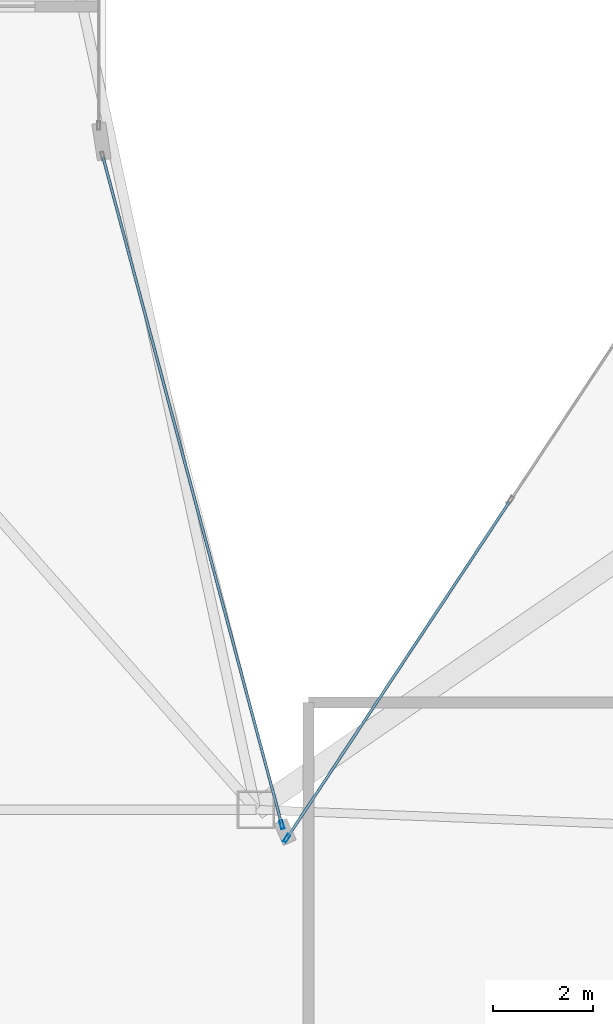
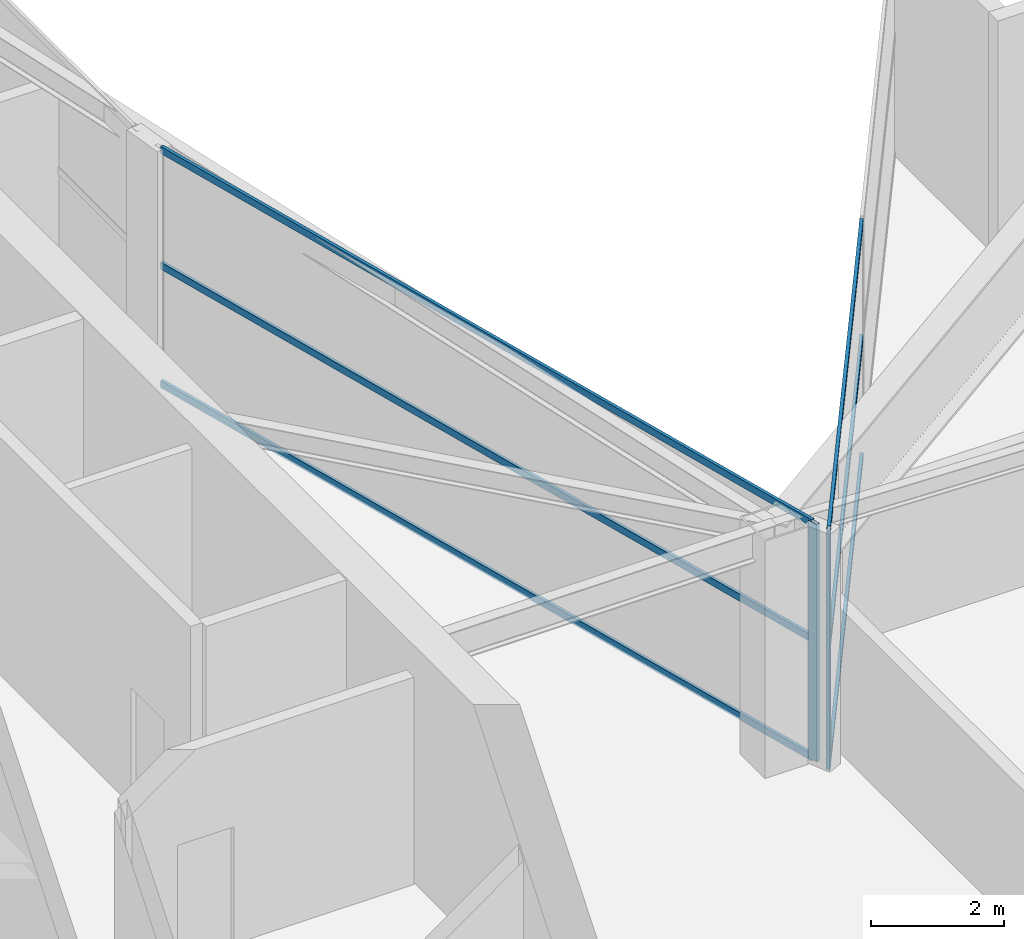
# One storey, part 2 of 15: 8 members, 2 elements without a shape of their own.
"""IFC4 building model written with IfcOpenShell, lengths in metres."""

from ifc_helpers import new_model, si_unit, direction, frame, origin, origin_2d, place, context, subcontext, project, spatial, hollow_rectangle, extrude, material, layer, layer_set, material_profile, profile_set, type_object, element, aggregate, save


model = new_model("IFC4")

# Units and contexts
model_context = context("Model", 3, precision=1e-05, world=origin(), true_north=direction((0.0, 1.0)))
body_context = subcontext(model_context, "Body", "Model", "MODEL_VIEW")
ifc_project = project(units=[si_unit("LENGTHUNIT", "METRE"), si_unit("AREAUNIT", "SQUARE_METRE"), si_unit("VOLUMEUNIT", "CUBIC_METRE"), si_unit("PLANEANGLEUNIT", "RADIAN"), si_unit("MASSUNIT", "GRAM", prefix="KILO")], contexts=[model_context])

# Site, building, storey
site_placement = place(None, origin())
site = spatial("IfcSite", under=ifc_project, at=site_placement, CompositionType="ELEMENT")
building_placement = place(site_placement, origin())
building = spatial("IfcBuilding", under=site, at=building_placement, Name="Calvorn Quay Hotel", CompositionType="ELEMENT")
storey_placement = place(building_placement, frame((0.0, 0.0, 282.5)))
storey = spatial("IfcBuildingStorey", under=building, at=storey_placement, Name="L70", CompositionType="ELEMENT", Elevation=282.5)

# Curtain wall, member
ifc_material_1 = material(Name="Champagne Bronze Anodised Aluminium and Low-E Glass", Category="aluminium")
ifc_layer = layer(ifc_material_1, 0.219970703125)
ifc_layer_set = layer_set([ifc_layer], Name="CW-SYS-Z4")
curtain_wall_type = type_object("IfcCurtainWallType", Name="CW-SYS-Z4", PredefinedType="NOTDEFINED", material=ifc_layer_set)
curtain_wall_1_placement = place(storey_placement, origin())
curtain_wall_1 = element("IfcCurtainWall", 1, at=curtain_wall_1_placement, inside=storey, type_object=curtain_wall_type, Name="Inner Court Curtain Wall L70-NE1", PredefinedType="NOTDEFINED")
ifc_material_2 = material(Name="Champagne Bronze Anodised Aluminium 6063-T6", Category="aluminium")
ifc_material_profile_1 = material_profile(ifc_material_2, hollow_rectangle(XDim=0.06494140625, YDim=0.169921875, WallThickness=0.00341796875, at=origin_2d()), Name="ALU-M170x65x3.5")
ifc_profile_set_1 = profile_set([ifc_material_profile_1], Name="Champagne Bronze Anodised Aluminium 6063-T6")
member_type_1 = type_object("IfcMemberType", Name="CW-SYS-Z4-MUL", PredefinedType="MULLION", material=ifc_profile_set_1)
member_1_placement = place(storey_placement, frame((21.616455078125, 24.425048828125, 0.0), z_axis=(0.0, 0.0, 1.0), x_axis=(0.833932205724, -0.551866900852, 0.0)))
member_1 = element("IfcMember", 2, at=member_1_placement, type_object=member_type_1, Name="CW-L70-NE1 mullion 3", PredefinedType="MULLION", context=body_context, shape_type="SweptSolid", body=[
    extrude(hollow_rectangle(XDim=0.06494140625, YDim=0.169921875, WallThickness=0.00341796875, at=origin_2d()), origin(), (0.0, 0.0, 1.0), 4.35009765625),
])

curtain_wall_2_placement = place(storey_placement, origin())
curtain_wall_2 = element("IfcCurtainWall", 3, at=curtain_wall_2_placement, inside=storey, type_object=curtain_wall_type, Name="Inner Court Curtain Wall L70-IC1", PredefinedType="NOTDEFINED")
member_2_placement = place(storey_placement, frame((21.520263671875, 24.698974609375, 0.0), z_axis=(0.0, 0.0, 1.0), x_axis=(-0.96593652056, -0.25877913024, 0.0)))
member_2 = element("IfcMember", 4, at=member_2_placement, type_object=member_type_1, Name="CW-L70-IC1 mullion 1", PredefinedType="MULLION", context=body_context, shape_type="SweptSolid", body=[
    extrude(hollow_rectangle(XDim=0.06494140625, YDim=0.169921875, WallThickness=0.00341796875, at=origin_2d()), origin(), (0.0, 0.0, 1.0), 4.35009765625),
])

# Member
ifc_material_3 = material(Name="Champagne Bronze Anodised Aluminium 6063-T6", Category="aluminium")
ifc_material_profile_2 = material_profile(ifc_material_3, hollow_rectangle(XDim=0.054931640625, YDim=0.1298828125, WallThickness=0.003173828125, at=origin_2d()), Name="ALU-T130x55x3.2")
ifc_profile_set_2 = profile_set([ifc_material_profile_2], Name="Champagne Bronze Anodised Aluminium 6063-T6")
member_type_2 = type_object("IfcMemberType", Name="CW-SYS-Z4-TRN", PredefinedType="USERDEFINED", material=ifc_profile_set_2)
member_3_placement = place(storey_placement, frame((26.08349609375, 31.175048828125, 0.030029296875), z_axis=(-0.551867520082, -0.833931795939, 0.0), x_axis=(0.833931795939, -0.551867520082, 0.0)))
member_3 = element("IfcMember", 5, at=member_3_placement, type_object=member_type_2, Name="CW-L70-NE1 transom 2.1", ObjectType="TRANSOM", PredefinedType="USERDEFINED", context=body_context, shape_type="SweptSolid", body=[
    extrude(hollow_rectangle(XDim=0.054931640625, YDim=0.1298828125, WallThickness=0.003173828125, at=origin_2d()), origin(), (0.0, 0.0, 1.0), 8.064208984375),
])

member_4_placement = place(storey_placement, frame((26.08349609375, 31.175048828125, 2.199951171875), z_axis=(-0.551867520082, -0.833931795939, 0.0), x_axis=(0.833931795939, -0.551867520082, 0.0)))
member_4 = element("IfcMember", 6, at=member_4_placement, type_object=member_type_2, Name="CW-L70-NE1 transom 2.2", ObjectType="TRANSOM", PredefinedType="USERDEFINED", context=body_context, shape_type="SweptSolid", body=[
    extrude(hollow_rectangle(XDim=0.054931640625, YDim=0.1298828125, WallThickness=0.003173828125, at=origin_2d()), origin(), (0.0, 0.0, 1.0), 8.064208984375),
])

member_5_placement = place(storey_placement, frame((26.08349609375, 31.175048828125, 4.320068359375), z_axis=(-0.551867520082, -0.833931795939, 0.0), x_axis=(0.833931795939, -0.551867520082, 0.0)))
member_5 = element("IfcMember", 7, at=member_5_placement, type_object=member_type_2, Name="CW-L70-NE1 transom 2.3", ObjectType="TRANSOM", PredefinedType="USERDEFINED", context=body_context, shape_type="SweptSolid", body=[
    extrude(hollow_rectangle(XDim=0.054931640625, YDim=0.1298828125, WallThickness=0.003173828125, at=origin_2d()), origin(), (0.0, 0.0, 1.0), 8.064208984375),
])

aggregate(curtain_wall_1, [member_1, member_3, member_4, member_5])

member_6_placement = place(storey_placement, frame((21.512451171875, 24.72802734375, 0.030029296875), z_axis=(-0.258781136883, 0.965935982969, 0.0), x_axis=(-0.965935982969, -0.258781136883, 0.0)))
member_6 = element("IfcMember", 8, at=member_6_placement, type_object=member_type_2, Name="CW-L70-IC1 transom 1.1", ObjectType="TRANSOM", PredefinedType="USERDEFINED", context=body_context, shape_type="SweptSolid", body=[
    extrude(hollow_rectangle(XDim=0.054931640625, YDim=0.1298828125, WallThickness=0.003173828125, at=origin_2d()), origin(), (0.0, 0.0, 1.0), 13.814453125),
])

member_7_placement = place(storey_placement, frame((21.512451171875, 24.72802734375, 2.199951171875), z_axis=(-0.258781136883, 0.965935982969, 0.0), x_axis=(-0.965935982969, -0.258781136883, 0.0)))
member_7 = element("IfcMember", 9, at=member_7_placement, type_object=member_type_2, Name="CW-L70-IC1 transom 1.2", ObjectType="TRANSOM", PredefinedType="USERDEFINED", context=body_context, shape_type="SweptSolid", body=[
    extrude(hollow_rectangle(XDim=0.054931640625, YDim=0.1298828125, WallThickness=0.003173828125, at=origin_2d()), origin(), (0.0, 0.0, 1.0), 13.814453125),
])

member_8_placement = place(storey_placement, frame((21.512451171875, 24.72802734375, 4.320068359375), z_axis=(-0.258781136883, 0.965935982969, 0.0), x_axis=(-0.965935982969, -0.258781136883, 0.0)))
member_8 = element("IfcMember", 10, at=member_8_placement, type_object=member_type_2, Name="CW-L70-IC1 transom 1.3", ObjectType="TRANSOM", PredefinedType="USERDEFINED", context=body_context, shape_type="SweptSolid", body=[
    extrude(hollow_rectangle(XDim=0.054931640625, YDim=0.1298828125, WallThickness=0.003173828125, at=origin_2d()), origin(), (0.0, 0.0, 1.0), 13.814453125),
])

aggregate(curtain_wall_2, [member_2, member_6, member_7, member_8])

save(model, "model.ifc")
